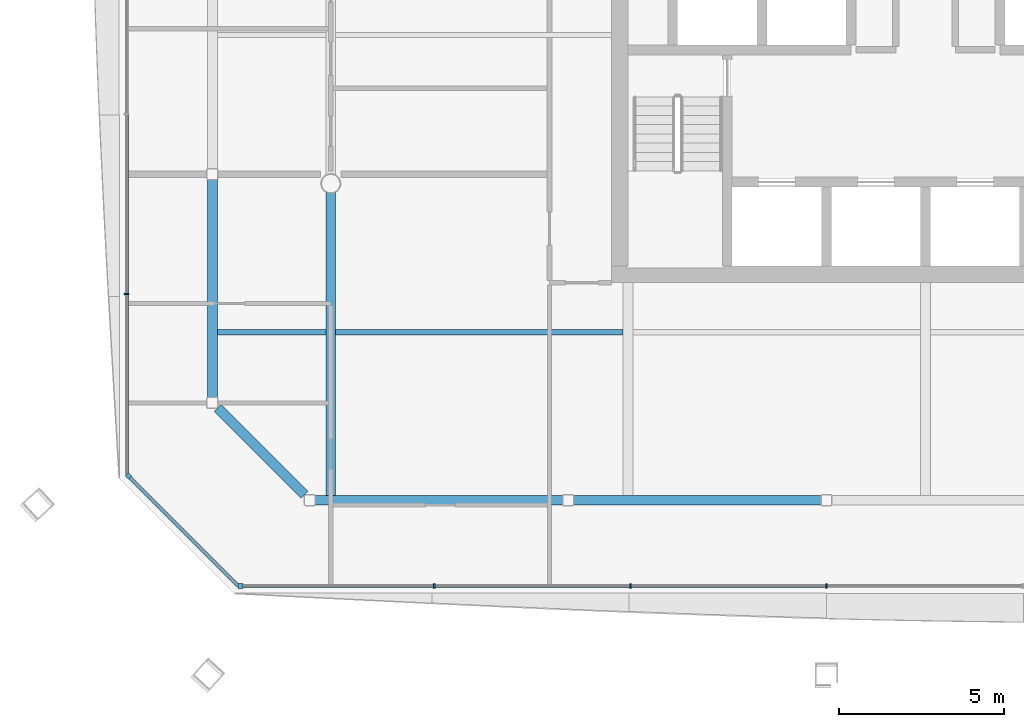
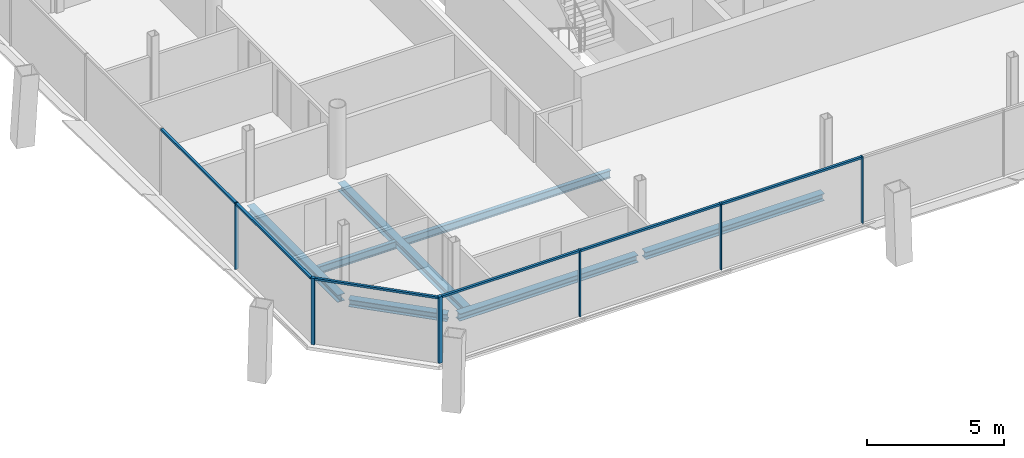
# One storey, part 4 of 20: 12 members, 7 beams, 3 elements without a shape of their own.
"""IFC4 building model written with IfcOpenShell, lengths in metres."""

from ifc_helpers import new_model, si_unit, direction, frame, origin, origin_2d, place, context, subcontext, project, spatial, rectangle, i_section, extrude, material, material_profile, profile_set, type_object, element, aggregate, save


model = new_model("IFC4")

# Units and contexts
model_context = context("Model", 3, precision=1e-05, world=origin(), true_north=direction((0.0, 1.0)))
body_context = subcontext(model_context, "Body", "Model", "MODEL_VIEW")
ifc_project = project(units=[si_unit("LENGTHUNIT", "METRE"), si_unit("AREAUNIT", "SQUARE_METRE"), si_unit("VOLUMEUNIT", "CUBIC_METRE"), si_unit("PLANEANGLEUNIT", "RADIAN"), si_unit("MASSUNIT", "GRAM", prefix="KILO")], contexts=[model_context])

# Site, building, storey
site_placement = place(None, origin())
site = spatial("IfcSite", under=ifc_project, at=site_placement, CompositionType="ELEMENT")
building_placement = place(site_placement, origin())
building = spatial("IfcBuilding", under=site, at=building_placement, Name="Tskaro Facet Tower", CompositionType="ELEMENT")
storey_placement = place(building_placement, frame((0.0, 0.0, 178.5)))
storey = spatial("IfcBuildingStorey", under=building, at=storey_placement, Name="L44", CompositionType="ELEMENT", Elevation=178.5)

# Curtain wall, member
ifc_material_1 = material(Name="Bronze anodised aluminium 6063-T6", Category="aluminium")
curtain_wall_type = type_object("IfcCurtainWallType", Name="Bronze residence curtain wall (FW3)", PredefinedType="NOTDEFINED", material=ifc_material_1)
curtain_wall_1_placement = place(storey_placement, origin())
curtain_wall_1 = element("IfcCurtainWall", 1, at=curtain_wall_1_placement, inside=storey, type_object=curtain_wall_type, Name="FW3 south facet L44", PredefinedType="NOTDEFINED")
ifc_material_profile_1 = material_profile(ifc_material_1, rectangle(XDim=0.139892578125, YDim=0.139892578125, at=origin_2d()), Name="Corner post 140x140")
ifc_profile_set_1 = profile_set([ifc_material_profile_1], Name="Bronze anodised aluminium 6063-T6")
member_type_1 = type_object("IfcMemberType", Name="FW3 bronze corner post 140x140", PredefinedType="MULLION", material=ifc_profile_set_1)
member_1_placement = place(storey_placement, frame((-20.72998046875, -21.176025390625, 0.0), z_axis=(0.0, 0.0, 1.0), x_axis=(1.0, 0.0, 0.0)))
member_1 = element("IfcMember", 2, at=member_1_placement, type_object=member_type_1, Name="FW3 south corner post", PredefinedType="MULLION", context=body_context, shape_type="SweptSolid", body=[
    extrude(rectangle(XDim=0.139892578125, YDim=0.139892578125, at=origin_2d()), origin(), (0.0, 0.0, 1.0), 2.949951171875),
])

curtain_wall_2_placement = place(storey_placement, origin())
curtain_wall_2 = element("IfcCurtainWall", 3, at=curtain_wall_2_placement, inside=storey, type_object=curtain_wall_type, Name="FW3 south-west facet L44", PredefinedType="NOTDEFINED")
member_2_placement = place(storey_placement, frame((-24.12646484375, -17.849609375, 0.0), z_axis=(0.0, 0.0, 1.0), x_axis=(0.707106781187, -0.707106781187, 0.0)))
member_2 = element("IfcMember", 4, at=member_2_placement, type_object=member_type_1, Name="FW3 south-west corner post", PredefinedType="MULLION", context=body_context, shape_type="SweptSolid", body=[
    extrude(rectangle(XDim=0.139892578125, YDim=0.139892578125, at=origin_2d()), origin(), (0.0, 0.0, 1.0), 2.949951171875),
])

# Member
ifc_material_profile_2 = material_profile(ifc_material_1, rectangle(XDim=0.050048828125, YDim=0.139892578125, at=origin_2d()), Name="Mullion 50x140")
ifc_profile_set_2 = profile_set([ifc_material_profile_2], Name="Bronze anodised aluminium 6063-T6")
member_type_2 = type_object("IfcMemberType", Name="FW3 bronze mullion 50x140", PredefinedType="MULLION", material=ifc_profile_set_2)
member_3_placement = place(storey_placement, frame((-14.86669921875, -21.176025390625, 0.0), z_axis=(0.0, 0.0, 1.0), x_axis=(1.0, 0.0, 0.0)))
member_3 = element("IfcMember", 5, at=member_3_placement, type_object=member_type_2, Name="FW3 south mullion 1", PredefinedType="MULLION", context=body_context, shape_type="SweptSolid", body=[
    extrude(rectangle(XDim=0.050048828125, YDim=0.139892578125, at=origin_2d()), origin(), (0.0, 0.0, 1.0), 2.949951171875),
])

member_4_placement = place(storey_placement, frame((-8.933349609375, -21.176025390625, 0.0), z_axis=(0.0, 0.0, 1.0), x_axis=(1.0, 0.0, 0.0)))
member_4 = element("IfcMember", 6, at=member_4_placement, type_object=member_type_2, Name="FW3 south mullion 2", PredefinedType="MULLION", context=body_context, shape_type="SweptSolid", body=[
    extrude(rectangle(XDim=0.050048828125, YDim=0.139892578125, at=origin_2d()), origin(), (0.0, 0.0, 1.0), 2.949951171875),
])

member_5_placement = place(storey_placement, frame((-3.0, -21.176025390625, 0.0), z_axis=(0.0, 0.0, 1.0), x_axis=(1.0, 0.0, 0.0)))
member_5 = element("IfcMember", 7, at=member_5_placement, type_object=member_type_2, Name="FW3 south mullion 3", PredefinedType="MULLION", context=body_context, shape_type="SweptSolid", body=[
    extrude(rectangle(XDim=0.050048828125, YDim=0.139892578125, at=origin_2d()), origin(), (0.0, 0.0, 1.0), 2.949951171875),
])

# Curtain wall, member
curtain_wall_3_placement = place(storey_placement, origin())
curtain_wall_3 = element("IfcCurtainWall", 8, at=curtain_wall_3_placement, inside=storey, type_object=curtain_wall_type, Name="FW3 west facet L44", PredefinedType="NOTDEFINED")
member_6_placement = place(storey_placement, frame((-24.176025390625, -12.3447265625, 0.0), z_axis=(0.0, 0.0, 1.0), x_axis=(0.0, -1.0, 0.0)))
member_6 = element("IfcMember", 9, at=member_6_placement, type_object=member_type_2, Name="FW3 west mullion 5", PredefinedType="MULLION", context=body_context, shape_type="SweptSolid", body=[
    extrude(rectangle(XDim=0.050048828125, YDim=0.139892578125, at=origin_2d()), origin(), (0.0, 0.0, 1.0), 2.949951171875),
])

# Member
ifc_material_profile_3 = material_profile(ifc_material_1, rectangle(XDim=0.10009765625, YDim=0.090087890625, at=origin_2d()), Name="Transom 100x90")
ifc_profile_set_3 = profile_set([ifc_material_profile_3], Name="Bronze anodised aluminium 6063-T6")
member_type_3 = type_object("IfcMemberType", Name="FW3 bronze transom 100x90", PredefinedType="USERDEFINED", material=ifc_profile_set_3)
member_7_placement = place(storey_placement, frame((-20.659912109375, -21.176025390625, 2.905029296875), z_axis=(1.0, 0.0, 0.0), x_axis=(0.0, 1.0, 0.0)))
member_7 = element("IfcMember", 10, at=member_7_placement, type_object=member_type_3, Name="FW3 south transom 1.1", ObjectType="TRANSOM", PredefinedType="USERDEFINED", context=body_context, shape_type="SweptSolid", body=[
    extrude(rectangle(XDim=0.10009765625, YDim=0.090087890625, at=origin_2d()), origin(), (0.0, 0.0, 1.0), 5.768310546875),
])

member_8_placement = place(storey_placement, frame((-14.841552734375, -21.176025390625, 2.905029296875), z_axis=(1.0, 0.0, 0.0), x_axis=(0.0, 1.0, 0.0)))
member_8 = element("IfcMember", 11, at=member_8_placement, type_object=member_type_3, Name="FW3 south transom 2.1", ObjectType="TRANSOM", PredefinedType="USERDEFINED", context=body_context, shape_type="SweptSolid", body=[
    extrude(rectangle(XDim=0.10009765625, YDim=0.090087890625, at=origin_2d()), origin(), (0.0, 0.0, 1.0), 5.88330078125),
])

member_9_placement = place(storey_placement, frame((-8.908447265625, -21.176025390625, 2.905029296875), z_axis=(1.0, 0.0, 0.0), x_axis=(0.0, 1.0, 0.0)))
member_9 = element("IfcMember", 12, at=member_9_placement, type_object=member_type_3, Name="FW3 south transom 3.1", ObjectType="TRANSOM", PredefinedType="USERDEFINED", context=body_context, shape_type="SweptSolid", body=[
    extrude(rectangle(XDim=0.10009765625, YDim=0.090087890625, at=origin_2d()), origin(), (0.0, 0.0, 1.0), 5.883544921875),
])

aggregate(curtain_wall_1, [member_1, member_3, member_4, member_5, member_7, member_8, member_9])

member_10_placement = place(storey_placement, frame((-24.176025390625, -6.91455078125, 2.905029296875), z_axis=(0.0, -1.0, 0.0), x_axis=(1.0, 0.0, 0.0)))
member_10 = element("IfcMember", 13, at=member_10_placement, type_object=member_type_3, Name="FW3 west transom 5.1", ObjectType="TRANSOM", PredefinedType="USERDEFINED", context=body_context, shape_type="SweptSolid", body=[
    extrude(rectangle(XDim=0.10009765625, YDim=0.090087890625, at=origin_2d()), origin(), (0.0, 0.0, 1.0), 5.4052734375),
])

member_11_placement = place(storey_placement, frame((-24.176025390625, -12.369873046875, 2.905029296875), z_axis=(0.0, -1.0, 0.0), x_axis=(1.0, 0.0, 0.0)))
member_11 = element("IfcMember", 14, at=member_11_placement, type_object=member_type_3, Name="FW3 west transom 6.1", ObjectType="TRANSOM", PredefinedType="USERDEFINED", context=body_context, shape_type="SweptSolid", body=[
    extrude(rectangle(XDim=0.10009765625, YDim=0.090087890625, at=origin_2d()), origin(), (0.0, 0.0, 1.0), 5.43017578125),
])

aggregate(curtain_wall_3, [member_6, member_10, member_11])

member_12_placement = place(storey_placement, frame((-24.076904296875, -17.89892578125, 2.905029296875), z_axis=(0.707080440343, -0.707133121049, 0.0), x_axis=(0.707133121049, 0.707080440343, 0.0)))
member_12 = element("IfcMember", 15, at=member_12_placement, type_object=member_type_3, Name="FW3 south-west transom 1.1", ObjectType="TRANSOM", PredefinedType="USERDEFINED", context=body_context, shape_type="SweptSolid", body=[
    extrude(rectangle(XDim=0.10009765625, YDim=0.090087890625, at=origin_2d()), origin(), (0.0, 0.0, 1.0), 4.63427734375),
])

aggregate(curtain_wall_2, [member_2, member_12])

# Beams
ifc_material_2 = material(Name="Steel S355J2", Category="steel")
ifc_material_profile_4 = material_profile(ifc_material_2, i_section(OverallWidth=0.300048828125, OverallDepth=0.320068359375, WebThickness=0.011474609375, FlangeThickness=0.0205078125, FilletRadius=0.027099609375, at=origin_2d()), Name="HE 320 B")
ifc_profile_set_4 = profile_set([ifc_material_profile_4], Name="Steel S355J2")
beam_type_1 = type_object("IfcBeamType", Name="HE 320 B ring beam", PredefinedType="BEAM", material=ifc_profile_set_4)
beam_1_placement = place(storey_placement, frame((-18.47802734375, -18.5830078125, -0.300048828125), z_axis=(1.0, 0.0, 0.0), x_axis=(0.0, 1.0, 0.0)))
element("IfcBeam", 16, at=beam_1_placement, inside=storey, type_object=beam_type_1, Name="HE 320 B EB1-4", PredefinedType="BEAM", context=body_context, shape_type="SweptSolid", body=[
    extrude(i_section(OverallWidth=0.300048828125, OverallDepth=0.320068359375, WebThickness=0.011474609375, FlangeThickness=0.0205078125, FilletRadius=0.027099609375, at=origin_2d()), origin(), (0.0, 0.0, 1.0), 7.507080078125),
])
beam_2_placement = place(storey_placement, frame((-10.660888671875, -18.5830078125, -0.300048828125), z_axis=(1.0, 0.0, 0.0), x_axis=(0.0, 1.0, 0.0)))
element("IfcBeam", 17, at=beam_2_placement, inside=storey, type_object=beam_type_1, Name="HE 320 B EB2-4", PredefinedType="BEAM", context=body_context, shape_type="SweptSolid", body=[
    extrude(i_section(OverallWidth=0.300048828125, OverallDepth=0.320068359375, WebThickness=0.011474609375, FlangeThickness=0.0205078125, FilletRadius=0.027099609375, at=origin_2d()), origin(), (0.0, 0.0, 1.0), 7.505859375),
])
beam_3_placement = place(storey_placement, frame((-21.5830078125, -8.867919921875, -0.300048828125), z_axis=(0.0, -1.0, 0.0), x_axis=(1.0, 0.0, 0.0)))
element("IfcBeam", 18, at=beam_3_placement, inside=storey, type_object=beam_type_1, Name="HE 320 B EB20-4", PredefinedType="BEAM", context=body_context, shape_type="SweptSolid", body=[
    extrude(i_section(OverallWidth=0.300048828125, OverallDepth=0.320068359375, WebThickness=0.011474609375, FlangeThickness=0.0205078125, FilletRadius=0.027099609375, at=origin_2d()), origin(), (0.0, 0.0, 1.0), 6.610107421875),
])
beam_4_placement = place(storey_placement, frame((-21.422119140625, -15.7939453125, -0.300048828125), z_axis=(0.707106781187, -0.707106781187, 0.0), x_axis=(0.707106781187, 0.707106781187, 0.0)))
element("IfcBeam", 19, at=beam_4_placement, inside=storey, type_object=beam_type_1, Name="HE 320 B EB21-4", PredefinedType="BEAM", context=body_context, shape_type="SweptSolid", body=[
    extrude(i_section(OverallWidth=0.300048828125, OverallDepth=0.320068359375, WebThickness=0.011474609375, FlangeThickness=0.0205078125, FilletRadius=0.027099609375, at=origin_2d()), origin(), (0.0, 0.0, 1.0), 3.716796875),
])
ifc_material_profile_5 = material_profile(ifc_material_2, i_section(OverallWidth=0.300048828125, OverallDepth=0.35009765625, WebThickness=0.010009765625, FlangeThickness=0.017578125, FilletRadius=0.027099609375, at=origin_2d()), Name="HE 360 A")
ifc_profile_set_5 = profile_set([ifc_material_profile_5], Name="Steel S355J2")
beam_type_2 = type_object("IfcBeamType", Name="HE 360 A girder", PredefinedType="BEAM", material=ifc_profile_set_5)
beam_5_placement = place(storey_placement, frame((-18.0, -18.43310546875, -0.31494140625), z_axis=(0.0, 1.0, 0.0), x_axis=(-1.0, 0.0, 0.0)))
element("IfcBeam", 20, at=beam_5_placement, inside=storey, type_object=beam_type_2, Name="HE 360 A GB2-1-4", PredefinedType="BEAM", context=body_context, shape_type="SweptSolid", body=[
    extrude(i_section(OverallWidth=0.300048828125, OverallDepth=0.35009765625, WebThickness=0.010009765625, FlangeThickness=0.017578125, FilletRadius=0.027099609375, at=origin_2d()), origin(), (0.0, 0.0, 1.0), 9.158203125),
])
ifc_material_profile_6 = material_profile(ifc_material_2, i_section(OverallWidth=0.159912109375, OverallDepth=0.330078125, WebThickness=0.007568359375, FlangeThickness=0.011474609375, FilletRadius=0.01806640625, at=origin_2d()), Name="IPE 330")
ifc_profile_set_6 = profile_set([ifc_material_profile_6], Name="Steel S355J2")
beam_type_3 = type_object("IfcBeamType", Name="IPE 330 secondary beam", PredefinedType="BEAM", material=ifc_profile_set_6)
beam_6_placement = place(storey_placement, frame((-21.43310546875, -13.5, -0.304931640625), z_axis=(1.0, 0.0, 0.0), x_axis=(0.0, 1.0, 0.0)))
element("IfcBeam", 21, at=beam_6_placement, inside=storey, type_object=beam_type_3, Name="IPE 330 SB2a-1-4", PredefinedType="BEAM", context=body_context, shape_type="SweptSolid", body=[
    extrude(i_section(OverallWidth=0.159912109375, OverallDepth=0.330078125, WebThickness=0.007568359375, FlangeThickness=0.011474609375, FilletRadius=0.01806640625, at=origin_2d()), origin(), (0.0, 0.0, 1.0), 3.283203125),
])
beam_7_placement = place(storey_placement, frame((-17.85009765625, -13.5, -0.304931640625), z_axis=(1.0, 0.0, 0.0), x_axis=(0.0, 1.0, 0.0)))
element("IfcBeam", 22, at=beam_7_placement, inside=storey, type_object=beam_type_3, Name="IPE 330 SB2a-2-4", PredefinedType="BEAM", context=body_context, shape_type="SweptSolid", body=[
    extrude(i_section(OverallWidth=0.159912109375, OverallDepth=0.330078125, WebThickness=0.007568359375, FlangeThickness=0.011474609375, FilletRadius=0.01806640625, at=origin_2d()), origin(), (0.0, 0.0, 1.0), 8.7001953125),
])

save(model, "model.ifc")
